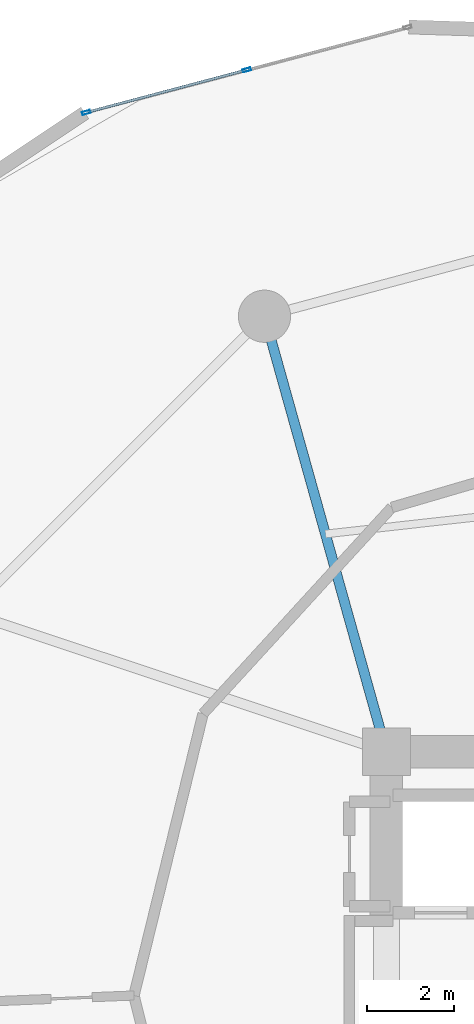
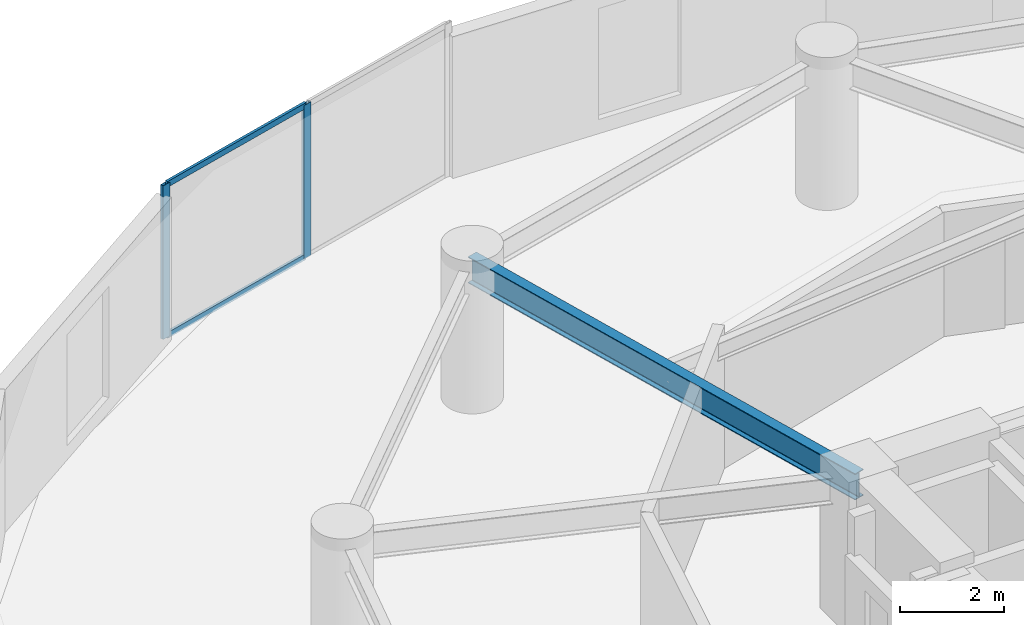
# One storey, part 13 of 24: 4 members, 1 beam, 1 element without a shape of its own.
"""IFC4 building model written with IfcOpenShell, lengths in metres."""

from ifc_helpers import new_model, si_unit, direction, frame, origin, origin_2d, place, context, subcontext, project, spatial, hollow_rectangle, i_section, extrude, source, transform, mapped, material, layer, layer_set, material_profile, profile_set, type_object, element, aggregate, save


model = new_model("IFC4")

# Units and contexts
model_context = context("Model", 3, precision=1e-05, world=origin(), true_north=direction((0.0, 1.0)))
body_context = subcontext(model_context, "Body", "Model", "MODEL_VIEW")
ifc_project = project(units=[si_unit("LENGTHUNIT", "METRE"), si_unit("AREAUNIT", "SQUARE_METRE"), si_unit("VOLUMEUNIT", "CUBIC_METRE"), si_unit("PLANEANGLEUNIT", "RADIAN"), si_unit("MASSUNIT", "GRAM", prefix="KILO")], contexts=[model_context])

# Site, building, storey
site_placement = place(None, origin())
site = spatial("IfcSite", under=ifc_project, at=site_placement, CompositionType="ELEMENT")
building_placement = place(site_placement, origin())
building = spatial("IfcBuilding", under=site, at=building_placement, Name="Solvirekh Grand Hotel", CompositionType="ELEMENT")
storey_placement = place(building_placement, frame((0.0, 0.0, 86.0)))
storey = spatial("IfcBuildingStorey", under=building, at=storey_placement, Name="L21", CompositionType="ELEMENT", Elevation=86.0)

# Beam
ifc_material_1 = material(Name="Steel S355", Category="steel")
ifc_material_profile_1 = material_profile(ifc_material_1, i_section(OverallWidth=0.22802734375, OverallDepth=0.616943359375, WebThickness=0.012939453125, FlangeThickness=0.02001953125, FilletRadius=0.014892578125, at=origin_2d()), Name="W610X140")
ifc_profile_set_1 = profile_set([ifc_material_profile_1], Name="Steel S355")
beam_type = type_object("IfcBeamType", Name="Beam_Radial_W610", PredefinedType="BEAM", material=ifc_profile_set_1)
beam_placement = place(storey_placement, frame((-6.5, 6.10009765625, 3.031982421875), z_axis=(-0.269439084681, 0.963017434757, 0.0), x_axis=(-0.963017434757, -0.269439084681, 0.0)))
element("IfcBeam", 1, at=beam_placement, inside=storey, type_object=beam_type, Name="L21 radial floor beam R05", PredefinedType="BEAM", context=body_context, shape_type="SweptSolid", body=[
    extrude(i_section(OverallWidth=0.22802734375, OverallDepth=0.616943359375, WebThickness=0.012939453125, FlangeThickness=0.02001953125, FilletRadius=0.014892578125, at=origin_2d()), origin(), (0.0, 0.0, 1.0), 10.39208984375),
])

# Curtain wall, members
ifc_material_2 = material(Name="Anodized Bronze Aluminium 6063-T6", Category="aluminium")
ifc_layer = layer(ifc_material_2, 0.18994140625)
ifc_layer_set = layer_set([ifc_layer], Name="Anodized Bronze Aluminium 6063-T6")
curtain_wall_type = type_object("IfcCurtainWallType", Name="CW_Sys2_LowZoneFlushBronzeCW", PredefinedType="NOTDEFINED", material=ifc_layer_set)
curtain_wall_placement = place(storey_placement, origin())
curtain_wall = element("IfcCurtainWall", 2, at=curtain_wall_placement, inside=storey, type_object=curtain_wall_type, Name="L21 unitised bronze-glass curtain wall CW-L21-C08", PredefinedType="NOTDEFINED")
ifc_material_profile_2 = material_profile(ifc_material_2, hollow_rectangle(XDim=0.070068359375, YDim=0.18994140625, WallThickness=0.0048828125, at=origin_2d()), Name="ALU RHS 190X70X5")
ifc_profile_set_2 = profile_set([ifc_material_profile_2], Name="Anodized Bronze Aluminium 6063-T6")
member_type_1 = type_object("IfcMemberType", Name="CWMullion_Sys2", PredefinedType="MULLION", material=ifc_profile_set_2)
shared_shape_1 = source(origin(), body_context, "Body", "SweptSolid", [
    extrude(hollow_rectangle(XDim=0.070068359375, YDim=0.18994140625, WallThickness=0.0048828125, at=origin_2d()), origin(), (0.0, 0.0, 1.0), 3.60009765625),
])
member_1_placement = place(storey_placement, frame((-9.7060546875, 21.767578125, 0.0), z_axis=(0.0, 0.0, 1.0), x_axis=(0.256313452144, -0.966593717262, 0.0)))
member_1 = element("IfcMember", 3, at=member_1_placement, type_object=member_type_1, Name="U02 mullion 2", PredefinedType="MULLION", context=body_context, shape_type="MappedRepresentation", body=[
    mapped(shared_shape_1, transform((0.0, 0.0, 0.0), x_axis=(1.0, 0.0, 0.0), y_axis=(0.0, 1.0, 0.0), z_axis=(0.0, 0.0, 1.0), scale=1.0)),
])
member_2_placement = place(storey_placement, frame((-13.396240234375, 20.7890625, 0.0), z_axis=(0.0, 0.0, 1.0), x_axis=(0.256313452144, -0.966593717262, 0.0)))
member_2 = element("IfcMember", 4, at=member_2_placement, type_object=member_type_1, Name="U02 mullion 3", PredefinedType="MULLION", context=body_context, shape_type="MappedRepresentation", body=[
    mapped(shared_shape_1, transform((0.0, 0.0, 0.0), x_axis=(1.0, 0.0, 0.0), y_axis=(0.0, 1.0, 0.0), z_axis=(0.0, 0.0, 1.0), scale=1.0)),
])
ifc_material_profile_3 = material_profile(ifc_material_2, hollow_rectangle(XDim=0.06005859375, YDim=0.135009765625, WallThickness=0.00390625, at=origin_2d()), Name="ALU RHS 135X60X4")
ifc_profile_set_3 = profile_set([ifc_material_profile_3], Name="Anodized Bronze Aluminium 6063-T6")
member_type_2 = type_object("IfcMemberType", Name="CWTransom_Sys2", PredefinedType="USERDEFINED", material=ifc_profile_set_3)
shared_shape_2 = source(origin(), body_context, "Body", "SweptSolid", [
    extrude(hollow_rectangle(XDim=0.06005859375, YDim=0.135009765625, WallThickness=0.00390625, at=origin_2d()), origin(), (0.0, 0.0, 1.0), 3.747802734375),
])
member_3_placement = place(storey_placement, frame((-9.73974609375, 21.758544921875, 0.030029296875), z_axis=(-0.96658758462, -0.256336578075, 0.0), x_axis=(0.256336578075, -0.96658758462, 0.0)))
member_3 = element("IfcMember", 5, at=member_3_placement, type_object=member_type_2, Name="U02 transom 2.1", ObjectType="TRANSOM", PredefinedType="USERDEFINED", context=body_context, shape_type="MappedRepresentation", body=[
    mapped(shared_shape_2, transform((0.0, 0.0, 0.0), x_axis=(1.0, 0.0, 0.0), y_axis=(0.0, 1.0, 0.0), z_axis=(0.0, 0.0, 1.0), scale=1.0)),
])
member_4_placement = place(storey_placement, frame((-9.73974609375, 21.758544921875, 3.570068359375), z_axis=(-0.96658758462, -0.256336578075, 0.0), x_axis=(0.256336578075, -0.96658758462, 0.0)))
member_4 = element("IfcMember", 6, at=member_4_placement, type_object=member_type_2, Name="U02 transom 2.2", ObjectType="TRANSOM", PredefinedType="USERDEFINED", context=body_context, shape_type="MappedRepresentation", body=[
    mapped(shared_shape_2, transform((0.0, 0.0, 0.0), x_axis=(1.0, 0.0, 0.0), y_axis=(0.0, 1.0, 0.0), z_axis=(0.0, 0.0, 1.0), scale=1.0)),
])
aggregate(curtain_wall, [member_1, member_2, member_3, member_4])

save(model, "model.ifc")
